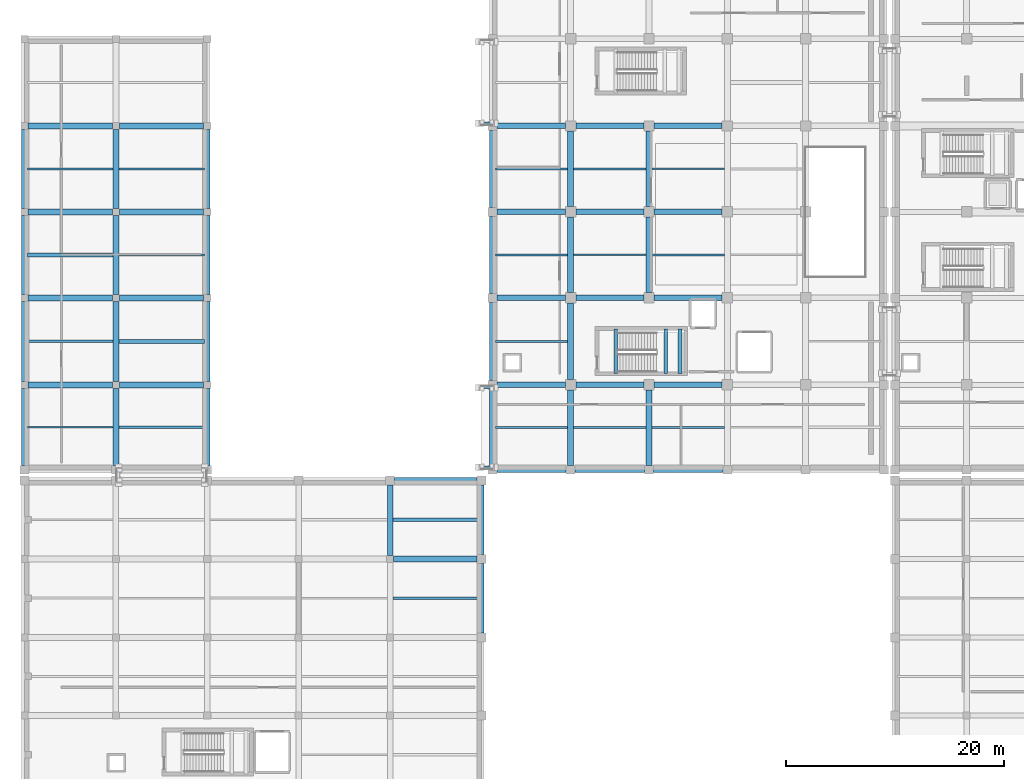
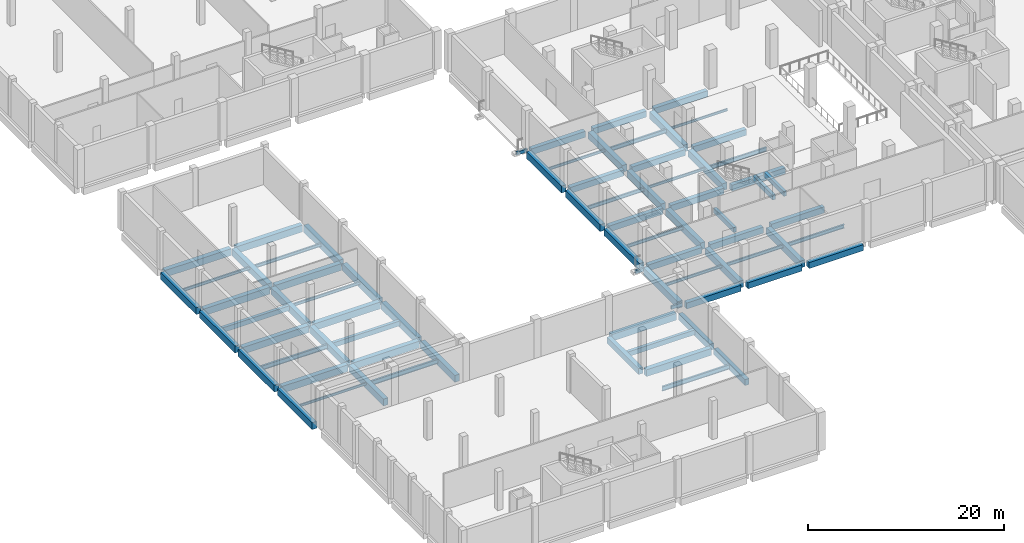
# One storey, part 3 of 31: 77 beams.
"""IFC4 building model written with IfcOpenShell, lengths in metres."""

from ifc_helpers import new_model, si_unit, direction, frame, origin, origin_2d, place, context, subcontext, project, spatial, rectangle, hollow_rectangle, i_section, extrude, material, material_profile, profile_set, type_object, element, save


model = new_model("IFC4")

# Units and contexts
model_context = context("Model", 3, precision=1e-05, world=origin(), true_north=direction((0.0, 1.0)))
body_context = subcontext(model_context, "Body", "Model", "MODEL_VIEW")
ifc_project = project(units=[si_unit("LENGTHUNIT", "METRE"), si_unit("AREAUNIT", "SQUARE_METRE"), si_unit("VOLUMEUNIT", "CUBIC_METRE"), si_unit("PLANEANGLEUNIT", "RADIAN"), si_unit("MASSUNIT", "GRAM", prefix="KILO")], contexts=[model_context])

# Site, building, storey
site_placement = place(None, origin())
site = spatial("IfcSite", under=ifc_project, at=site_placement, CompositionType="ELEMENT")
building_placement = place(site_placement, origin())
building = spatial("IfcBuilding", under=site, at=building_placement, Name="Kelarvand Opera House", CompositionType="ELEMENT")
storey_placement = place(building_placement, frame((0.0, 0.0, -4.800048828125)))
storey = spatial("IfcBuildingStorey", under=building, at=storey_placement, Name="B1", CompositionType="ELEMENT", Elevation=-4.800048828125)

# Beams
ifc_material_1 = material(Name="Concrete C35/45", Category="concrete")
ifc_material_profile_1 = material_profile(ifc_material_1, rectangle(XDim=0.35009765625, YDim=0.60009765625, at=origin_2d()), Name="RC 350x600", Category="concrete")
ifc_profile_set_1 = profile_set([ifc_material_profile_1], Name="Concrete C35/45")
beam_type_1 = type_object("IfcBeamType", Name="Structural Beam RC 350x600 BM-RC350x600", PredefinedType="BEAM", material=ifc_profile_set_1)
beam_1_placement = place(storey_placement, frame((9.27490234375, 58.550048828125, -0.599853515625), z_axis=(1.0, 0.0, 0.0), x_axis=(0.0, 1.0, 0.0)))
element("IfcBeam", 1, at=beam_1_placement, inside=storey, type_object=beam_type_1, Name="V4 B1 Beam BM-RC350x600", PredefinedType="BEAM", context=body_context, shape_type="SweptSolid", body=[
    extrude(rectangle(XDim=0.35009765625, YDim=0.60009765625, at=origin_2d()), origin(), (0.0, 0.0, 1.0), 7.85009765625),
])
beam_2_placement = place(storey_placement, frame((17.675048828125, 50.60009765625, -0.599853515625), z_axis=(1.0, 0.0, 0.0), x_axis=(0.0, 1.0, 0.0)))
element("IfcBeam", 2, at=beam_2_placement, inside=storey, type_object=beam_type_1, Name="V4 B1 Beam BM-RC350x600", PredefinedType="BEAM", context=body_context, shape_type="SweptSolid", body=[
    extrude(rectangle(XDim=0.35009765625, YDim=0.60009765625, at=origin_2d()), origin(), (0.0, 0.0, 1.0), 7.849853515625),
])
beam_3_placement = place(storey_placement, frame((42.85009765625, 34.199951171875, -0.599853515625), z_axis=(1.0, 0.0, 0.0), x_axis=(0.0, 1.0, 0.0)))
element("IfcBeam", 3, at=beam_3_placement, inside=storey, type_object=beam_type_1, Name="V4 B1 Beam BM-RC350x600", PredefinedType="BEAM", context=body_context, shape_type="SweptSolid", body=[
    extrude(rectangle(XDim=0.35009765625, YDim=0.60009765625, at=origin_2d()), origin(), (0.0, 0.0, 1.0), 7.89990234375),
])
for number, where, z_axis, x_axis, name in (
    (4, (63.340087890625, 47.64990234375, -0.52001953125), (0.0, 1.0, 0.0), (-1.0, 0.0, 0.0), "C2 Stair Landing Support Beam B1"),
    (5, (67.949951171875, 47.64990234375, 1.900146484375), (0.0, 1.0, 0.0), (-1.0, 0.0, 0.0), "C2 Stair Half-Landing Beam 1 B1"),
    (6, (69.25, 47.64990234375, 1.900146484375), (0.0, 1.0, 0.0), (-1.0, 0.0, 0.0), "C2 Stair Half-Landing Beam 2 B1"),
):
    element("IfcBeam", number, at=place(storey_placement, frame(where, z_axis=z_axis, x_axis=x_axis)), inside=storey, type_object=beam_type_1, Name=name, PredefinedType="BEAM", context=body_context, shape_type="SweptSolid", body=[
        extrude(rectangle(XDim=0.35009765625, YDim=0.60009765625, at=origin_2d()), origin(), (0.0, 0.0, 1.0), 4.10009765625),
    ])
ifc_material_2 = material(Name="Concrete C40/50", Category="concrete")
ifc_material_profile_2 = material_profile(ifc_material_2, rectangle(XDim=0.5, YDim=0.75, at=origin_2d()), Name="RC 500x750", Category="concrete")
ifc_profile_set_2 = profile_set([ifc_material_profile_2], Name="Concrete C40/50")
beam_type_2 = type_object("IfcBeamType", Name="Structural Beam RC 500x750 BM-RC500x750", PredefinedType="BEAM", material=ifc_profile_set_2)
beam_4_placement = place(storey_placement, frame((52.409912109375, 38.800048828125, -0.675048828125), z_axis=(1.0, 0.0, 0.0), x_axis=(0.0, 1.0, 0.0)))
element("IfcBeam", 7, at=beam_4_placement, inside=storey, type_object=beam_type_2, Name="V2 B1 Beam BM-RC500x750", PredefinedType="BEAM", context=body_context, shape_type="SweptSolid", body=[
    extrude(rectangle(XDim=0.5, YDim=0.75, at=origin_2d()), origin(), (0.0, 0.0, 1.0), 6.380126953125),
])
for number, where, z_axis, x_axis, name in (
    (8, (59.610107421875, 38.800048828125, -0.675048828125), (1.0, 0.0, 0.0), (0.0, 1.0, 0.0), "V2 B1 Beam BM-RC500x750"),
    (9, (66.81005859375, 38.800048828125, -0.675048828125), (1.0, 0.0, 0.0), (0.0, 1.0, 0.0), "V2 B1 Beam BM-RC500x750"),
):
    element("IfcBeam", number, at=place(storey_placement, frame(where, z_axis=z_axis, x_axis=x_axis)), inside=storey, type_object=beam_type_2, Name=name, PredefinedType="BEAM", context=body_context, shape_type="SweptSolid", body=[
        extrude(rectangle(XDim=0.5, YDim=0.75, at=origin_2d()), origin(), (0.0, 0.0, 1.0), 6.3798828125),
    ])
beam_5_placement = place(storey_placement, frame((52.409912109375, 46.60009765625, -0.675048828125), z_axis=(1.0, 0.0, 0.0), x_axis=(0.0, 1.0, 0.0)))
element("IfcBeam", 10, at=beam_5_placement, inside=storey, type_object=beam_type_2, Name="V2 B1 Beam BM-RC500x750", PredefinedType="BEAM", context=body_context, shape_type="SweptSolid", body=[
    extrude(rectangle(XDim=0.5, YDim=0.75, at=origin_2d()), origin(), (0.0, 0.0, 1.0), 6.315185546875),
])
for number, where, z_axis, x_axis, name in (
    (11, (59.675048828125, 46.60009765625, -0.675048828125), (1.0, 0.0, 0.0), (0.0, 1.0, 0.0), "V2 B1 Beam BM-RC500x750"),
    (12, (66.875, 46.60009765625, -0.675048828125), (1.0, 0.0, 0.0), (0.0, 1.0, 0.0), "V2 B1 Beam BM-RC500x750"),
):
    element("IfcBeam", number, at=place(storey_placement, frame(where, z_axis=z_axis, x_axis=x_axis)), inside=storey, type_object=beam_type_2, Name=name, PredefinedType="BEAM", context=body_context, shape_type="SweptSolid", body=[
        extrude(rectangle(XDim=0.5, YDim=0.75, at=origin_2d()), origin(), (0.0, 0.0, 1.0), 6.25),
    ])
beam_6_placement = place(storey_placement, frame((52.409912109375, 54.60009765625, -0.675048828125), z_axis=(1.0, 0.0, 0.0), x_axis=(0.0, 1.0, 0.0)))
element("IfcBeam", 13, at=beam_6_placement, inside=storey, type_object=beam_type_2, Name="V2 B1 Beam BM-RC500x750", PredefinedType="BEAM", context=body_context, shape_type="SweptSolid", body=[
    extrude(rectangle(XDim=0.5, YDim=0.75, at=origin_2d()), origin(), (0.0, 0.0, 1.0), 6.315185546875),
])
for number, where, z_axis, x_axis, name in (
    (14, (59.675048828125, 54.60009765625, -0.675048828125), (1.0, 0.0, 0.0), (0.0, 1.0, 0.0), "V2 B1 Beam BM-RC500x750"),
    (15, (66.875, 54.60009765625, -0.675048828125), (1.0, 0.0, 0.0), (0.0, 1.0, 0.0), "V2 B1 Beam BM-RC500x750"),
):
    element("IfcBeam", number, at=place(storey_placement, frame(where, z_axis=z_axis, x_axis=x_axis)), inside=storey, type_object=beam_type_2, Name=name, PredefinedType="BEAM", context=body_context, shape_type="SweptSolid", body=[
        extrude(rectangle(XDim=0.5, YDim=0.75, at=origin_2d()), origin(), (0.0, 0.0, 1.0), 6.25),
    ])
beam_7_placement = place(storey_placement, frame((52.409912109375, 62.5, -0.675048828125), z_axis=(1.0, 0.0, 0.0), x_axis=(0.0, 1.0, 0.0)))
element("IfcBeam", 16, at=beam_7_placement, inside=storey, type_object=beam_type_2, Name="V2 B1 Beam BM-RC500x750", PredefinedType="BEAM", context=body_context, shape_type="SweptSolid", body=[
    extrude(rectangle(XDim=0.5, YDim=0.75, at=origin_2d()), origin(), (0.0, 0.0, 1.0), 6.315185546875),
])
for number, where, z_axis, x_axis, name in (
    (17, (59.675048828125, 62.5, -0.675048828125), (1.0, 0.0, 0.0), (0.0, 1.0, 0.0), "V2 B1 Beam BM-RC500x750"),
    (18, (66.875, 62.5, -0.675048828125), (1.0, 0.0, 0.0), (0.0, 1.0, 0.0), "V2 B1 Beam BM-RC500x750"),
):
    element("IfcBeam", number, at=place(storey_placement, frame(where, z_axis=z_axis, x_axis=x_axis)), inside=storey, type_object=beam_type_2, Name=name, PredefinedType="BEAM", context=body_context, shape_type="SweptSolid", body=[
        extrude(rectangle(XDim=0.5, YDim=0.75, at=origin_2d()), origin(), (0.0, 0.0, 1.0), 6.25),
    ])
beam_8_placement = place(storey_placement, frame((52.409912109375, 70.39990234375, -0.675048828125), z_axis=(1.0, 0.0, 0.0), x_axis=(0.0, 1.0, 0.0)))
element("IfcBeam", 19, at=beam_8_placement, inside=storey, type_object=beam_type_2, Name="V2 B1 Beam BM-RC500x750", PredefinedType="BEAM", context=body_context, shape_type="SweptSolid", body=[
    extrude(rectangle(XDim=0.5, YDim=0.75, at=origin_2d()), origin(), (0.0, 0.0, 1.0), 6.315185546875),
])
for number, where, z_axis, x_axis, name in (
    (20, (59.675048828125, 70.39990234375, -0.675048828125), (1.0, 0.0, 0.0), (0.0, 1.0, 0.0), "V2 B1 Beam BM-RC500x750"),
    (21, (66.875, 70.39990234375, -0.675048828125), (1.0, 0.0, 0.0), (0.0, 1.0, 0.0), "V2 B1 Beam BM-RC500x750"),
):
    element("IfcBeam", number, at=place(storey_placement, frame(where, z_axis=z_axis, x_axis=x_axis)), inside=storey, type_object=beam_type_2, Name=name, PredefinedType="BEAM", context=body_context, shape_type="SweptSolid", body=[
        extrude(rectangle(XDim=0.5, YDim=0.75, at=origin_2d()), origin(), (0.0, 0.0, 1.0), 6.25),
    ])
beam_9_placement = place(storey_placement, frame((42.60009765625, 30.925048828125, -0.675048828125), z_axis=(0.0, 1.0, 0.0), x_axis=(-1.0, 0.0, 0.0)))
element("IfcBeam", 22, at=beam_9_placement, inside=storey, type_object=beam_type_2, Name="V4 B1 Beam BM-RC500x750", PredefinedType="BEAM", context=body_context, shape_type="SweptSolid", body=[
    extrude(rectangle(XDim=0.5, YDim=0.75, at=origin_2d()), origin(), (0.0, 0.0, 1.0), 6.46484375),
])
for number, where, z_axis, x_axis, name in (
    (23, (51.0, 23.81005859375, -0.675048828125), (0.0, 1.0, 0.0), (-1.0, 0.0, 0.0), "V4 B1 Beam BM-RC500x750"),
    (24, (51.0, 31.010009765625, -0.675048828125), (0.0, 1.0, 0.0), (-1.0, 0.0, 0.0), "V4 B1 Beam BM-RC500x750"),
):
    element("IfcBeam", number, at=place(storey_placement, frame(where, z_axis=z_axis, x_axis=x_axis)), inside=storey, type_object=beam_type_2, Name=name, PredefinedType="BEAM", context=body_context, shape_type="SweptSolid", body=[
        extrude(rectangle(XDim=0.5, YDim=0.75, at=origin_2d()), origin(), (0.0, 0.0, 1.0), 6.3798828125),
    ])
ifc_material_profile_3 = material_profile(ifc_material_2, rectangle(XDim=0.550048828125, YDim=0.85009765625, at=origin_2d()), Name="RC 550x850", Category="concrete")
ifc_profile_set_3 = profile_set([ifc_material_profile_3], Name="Concrete C40/50")
beam_type_3 = type_object("IfcBeamType", Name="Structural Beam RC 550x850 BM-RC550x850", PredefinedType="BEAM", material=ifc_profile_set_3)
beam_10_placement = place(storey_placement, frame((52.0, 39.2099609375, -0.724853515625), z_axis=(0.0, 1.0, 0.0), x_axis=(-1.0, 0.0, 0.0)))
element("IfcBeam", 25, at=beam_10_placement, inside=storey, type_object=beam_type_3, Name="V2 B1 Beam BM-RC550x850", PredefinedType="BEAM", context=body_context, shape_type="SweptSolid", body=[
    extrude(rectangle(XDim=0.550048828125, YDim=0.85009765625, at=origin_2d()), origin(), (0.0, 0.0, 1.0), 6.97998046875),
])
beam_11_placement = place(storey_placement, frame((52.0, 47.010009765625, -0.724853515625), z_axis=(0.0, 1.0, 0.0), x_axis=(-1.0, 0.0, 0.0)))
element("IfcBeam", 26, at=beam_11_placement, inside=storey, type_object=beam_type_3, Name="V2 B1 Beam BM-RC550x850", PredefinedType="BEAM", context=body_context, shape_type="SweptSolid", body=[
    extrude(rectangle(XDim=0.550048828125, YDim=0.85009765625, at=origin_2d()), origin(), (0.0, 0.0, 1.0), 7.179931640625),
])
for number, where, z_axis, x_axis, name in (
    (27, (52.0, 55.010009765625, -0.724853515625), (0.0, 1.0, 0.0), (-1.0, 0.0, 0.0), "V2 B1 Beam BM-RC550x850"),
    (28, (52.0, 62.909912109375, -0.724853515625), (0.0, 1.0, 0.0), (-1.0, 0.0, 0.0), "V2 B1 Beam BM-RC550x850"),
):
    element("IfcBeam", number, at=place(storey_placement, frame(where, z_axis=z_axis, x_axis=x_axis)), inside=storey, type_object=beam_type_3, Name=name, PredefinedType="BEAM", context=body_context, shape_type="SweptSolid", body=[
        extrude(rectangle(XDim=0.550048828125, YDim=0.85009765625, at=origin_2d()), origin(), (0.0, 0.0, 1.0), 7.080078125),
    ])
beam_12_placement = place(storey_placement, frame((59.199951171875, 39.2099609375, -0.724853515625), z_axis=(0.0, 1.0, 0.0), x_axis=(-1.0, 0.0, 0.0)))
element("IfcBeam", 29, at=beam_12_placement, inside=storey, type_object=beam_type_3, Name="V2 B1 Beam BM-RC550x850", PredefinedType="BEAM", context=body_context, shape_type="SweptSolid", body=[
    extrude(rectangle(XDim=0.550048828125, YDim=0.85009765625, at=origin_2d()), origin(), (0.0, 0.0, 1.0), 6.9150390625),
])
beam_13_placement = place(storey_placement, frame((59.199951171875, 47.074951171875, -0.724853515625), z_axis=(0.0, 1.0, 0.0), x_axis=(-1.0, 0.0, 0.0)))
element("IfcBeam", 30, at=beam_13_placement, inside=storey, type_object=beam_type_3, Name="V2 B1 Beam BM-RC550x850", PredefinedType="BEAM", context=body_context, shape_type="SweptSolid", body=[
    extrude(rectangle(XDim=0.550048828125, YDim=0.85009765625, at=origin_2d()), origin(), (0.0, 0.0, 1.0), 7.050048828125),
])
for number, where, z_axis, x_axis, name in (
    (31, (59.199951171875, 55.074951171875, -0.724853515625), (0.0, 1.0, 0.0), (-1.0, 0.0, 0.0), "V2 B1 Beam BM-RC550x850"),
    (32, (59.199951171875, 62.97509765625, -0.724853515625), (0.0, 1.0, 0.0), (-1.0, 0.0, 0.0), "V2 B1 Beam BM-RC550x850"),
):
    element("IfcBeam", number, at=place(storey_placement, frame(where, z_axis=z_axis, x_axis=x_axis)), inside=storey, type_object=beam_type_3, Name=name, PredefinedType="BEAM", context=body_context, shape_type="SweptSolid", body=[
        extrude(rectangle(XDim=0.550048828125, YDim=0.85009765625, at=origin_2d()), origin(), (0.0, 0.0, 1.0), 6.949951171875),
    ])
beam_14_placement = place(storey_placement, frame((66.39990234375, 39.2099609375, -0.724853515625), z_axis=(0.0, 1.0, 0.0), x_axis=(-1.0, 0.0, 0.0)))
element("IfcBeam", 33, at=beam_14_placement, inside=storey, type_object=beam_type_3, Name="V2 B1 Beam BM-RC550x850", PredefinedType="BEAM", context=body_context, shape_type="SweptSolid", body=[
    extrude(rectangle(XDim=0.550048828125, YDim=0.85009765625, at=origin_2d()), origin(), (0.0, 0.0, 1.0), 6.9150390625),
])
for number, where, z_axis, x_axis, name in (
    (34, (66.39990234375, 55.074951171875, -0.724853515625), (0.0, 1.0, 0.0), (-1.0, 0.0, 0.0), "V2 B1 Beam BM-RC550x850"),
    (35, (66.39990234375, 62.97509765625, -0.724853515625), (0.0, 1.0, 0.0), (-1.0, 0.0, 0.0), "V2 B1 Beam BM-RC550x850"),
):
    element("IfcBeam", number, at=place(storey_placement, frame(where, z_axis=z_axis, x_axis=x_axis)), inside=storey, type_object=beam_type_3, Name=name, PredefinedType="BEAM", context=body_context, shape_type="SweptSolid", body=[
        extrude(rectangle(XDim=0.550048828125, YDim=0.85009765625, at=origin_2d()), origin(), (0.0, 0.0, 1.0), 6.949951171875),
    ])
beam_15_placement = place(storey_placement, frame((42.925048828125, 30.60009765625, -0.724853515625), z_axis=(1.0, 0.0, 0.0), x_axis=(0.0, 1.0, 0.0)))
element("IfcBeam", 36, at=beam_15_placement, inside=storey, type_object=beam_type_3, Name="V4 B1 Beam BM-RC550x850", PredefinedType="BEAM", context=body_context, shape_type="SweptSolid", body=[
    extrude(rectangle(XDim=0.550048828125, YDim=0.85009765625, at=origin_2d()), origin(), (0.0, 0.0, 1.0), 7.6650390625),
])
beam_16_placement = place(storey_placement, frame((43.010009765625, 37.800048828125, -0.724853515625), z_axis=(1.0, 0.0, 0.0), x_axis=(0.0, 1.0, 0.0)))
element("IfcBeam", 37, at=beam_16_placement, inside=storey, type_object=beam_type_3, Name="V4 B1 Beam BM-RC550x850", PredefinedType="BEAM", context=body_context, shape_type="SweptSolid", body=[
    extrude(rectangle(XDim=0.550048828125, YDim=0.85009765625, at=origin_2d()), origin(), (0.0, 0.0, 1.0), 7.580078125),
])
for number, where, z_axis, x_axis, name in (
    (38, (9.324951171875, 46.60009765625, -0.724853515625), (1.0, 0.0, 0.0), (0.0, 1.0, 0.0), "V4 B1 Beam BM-RC550x850"),
    (39, (17.72509765625, 46.60009765625, -0.724853515625), (1.0, 0.0, 0.0), (0.0, 1.0, 0.0), "V4 B1 Beam BM-RC550x850"),
    (40, (9.324951171875, 54.60009765625, -0.724853515625), (1.0, 0.0, 0.0), (0.0, 1.0, 0.0), "V4 B1 Beam BM-RC550x850"),
    (41, (17.72509765625, 54.60009765625, -0.724853515625), (1.0, 0.0, 0.0), (0.0, 1.0, 0.0), "V4 B1 Beam BM-RC550x850"),
    (42, (9.324951171875, 62.5, -0.724853515625), (1.0, 0.0, 0.0), (0.0, 1.0, 0.0), "V4 B1 Beam BM-RC550x850"),
    (43, (17.72509765625, 62.5, -0.724853515625), (1.0, 0.0, 0.0), (0.0, 1.0, 0.0), "V4 B1 Beam BM-RC550x850"),
    (44, (9.324951171875, 70.39990234375, -0.724853515625), (1.0, 0.0, 0.0), (0.0, 1.0, 0.0), "V4 B1 Beam BM-RC550x850"),
    (45, (17.72509765625, 70.39990234375, -0.724853515625), (1.0, 0.0, 0.0), (0.0, 1.0, 0.0), "V4 B1 Beam BM-RC550x850"),
):
    element("IfcBeam", number, at=place(storey_placement, frame(where, z_axis=z_axis, x_axis=x_axis)), inside=storey, type_object=beam_type_3, Name=name, PredefinedType="BEAM", context=body_context, shape_type="SweptSolid", body=[
        extrude(rectangle(XDim=0.550048828125, YDim=0.85009765625, at=origin_2d()), origin(), (0.0, 0.0, 1.0), 7.75),
    ])
beam_17_placement = place(storey_placement, frame((9.0, 39.2099609375, -0.724853515625), z_axis=(0.0, 1.0, 0.0), x_axis=(-1.0, 0.0, 0.0)))
element("IfcBeam", 46, at=beam_17_placement, inside=storey, type_object=beam_type_3, Name="V4 B1 Beam BM-RC550x850", PredefinedType="BEAM", context=body_context, shape_type="SweptSolid", body=[
    extrude(rectangle(XDim=0.550048828125, YDim=0.85009765625, at=origin_2d()), origin(), (0.0, 0.0, 1.0), 7.06494140625),
])
beam_18_placement = place(storey_placement, frame((9.0, 46.925048828125, -0.724853515625), z_axis=(0.0, 1.0, 0.0), x_axis=(-1.0, 0.0, 0.0)))
element("IfcBeam", 47, at=beam_18_placement, inside=storey, type_object=beam_type_3, Name="V4 B1 Beam BM-RC550x850", PredefinedType="BEAM", context=body_context, shape_type="SweptSolid", body=[
    extrude(rectangle(XDim=0.550048828125, YDim=0.85009765625, at=origin_2d()), origin(), (0.0, 0.0, 1.0), 7.349853515625),
])
for number, where, z_axis, x_axis, name in (
    (48, (9.0, 54.925048828125, -0.724853515625), (0.0, 1.0, 0.0), (-1.0, 0.0, 0.0), "V4 B1 Beam BM-RC550x850"),
    (49, (9.0, 62.824951171875, -0.724853515625), (0.0, 1.0, 0.0), (-1.0, 0.0, 0.0), "V4 B1 Beam BM-RC550x850"),
):
    element("IfcBeam", number, at=place(storey_placement, frame(where, z_axis=z_axis, x_axis=x_axis)), inside=storey, type_object=beam_type_3, Name=name, PredefinedType="BEAM", context=body_context, shape_type="SweptSolid", body=[
        extrude(rectangle(XDim=0.550048828125, YDim=0.85009765625, at=origin_2d()), origin(), (0.0, 0.0, 1.0), 7.25),
    ])
beam_19_placement = place(storey_placement, frame((17.39990234375, 39.2099609375, -0.724853515625), z_axis=(0.0, 1.0, 0.0), x_axis=(-1.0, 0.0, 0.0)))
element("IfcBeam", 50, at=beam_19_placement, inside=storey, type_object=beam_type_3, Name="V4 B1 Beam BM-RC550x850", PredefinedType="BEAM", context=body_context, shape_type="SweptSolid", body=[
    extrude(rectangle(XDim=0.550048828125, YDim=0.85009765625, at=origin_2d()), origin(), (0.0, 0.0, 1.0), 7.06494140625),
])
beam_20_placement = place(storey_placement, frame((17.39990234375, 46.925048828125, -0.724853515625), z_axis=(0.0, 1.0, 0.0), x_axis=(-1.0, 0.0, 0.0)))
element("IfcBeam", 51, at=beam_20_placement, inside=storey, type_object=beam_type_3, Name="V4 B1 Beam BM-RC550x850", PredefinedType="BEAM", context=body_context, shape_type="SweptSolid", body=[
    extrude(rectangle(XDim=0.550048828125, YDim=0.85009765625, at=origin_2d()), origin(), (0.0, 0.0, 1.0), 7.349853515625),
])
for number, where, z_axis, x_axis, name in (
    (52, (17.39990234375, 54.925048828125, -0.724853515625), (0.0, 1.0, 0.0), (-1.0, 0.0, 0.0), "V4 B1 Beam BM-RC550x850"),
    (53, (17.39990234375, 62.824951171875, -0.724853515625), (0.0, 1.0, 0.0), (-1.0, 0.0, 0.0), "V4 B1 Beam BM-RC550x850"),
):
    element("IfcBeam", number, at=place(storey_placement, frame(where, z_axis=z_axis, x_axis=x_axis)), inside=storey, type_object=beam_type_3, Name=name, PredefinedType="BEAM", context=body_context, shape_type="SweptSolid", body=[
        extrude(rectangle(XDim=0.550048828125, YDim=0.85009765625, at=origin_2d()), origin(), (0.0, 0.0, 1.0), 7.25),
    ])
beam_21_placement = place(storey_placement, frame((25.800048828125, 39.2099609375, -0.724853515625), z_axis=(0.0, 1.0, 0.0), x_axis=(-1.0, 0.0, 0.0)))
element("IfcBeam", 54, at=beam_21_placement, inside=storey, type_object=beam_type_3, Name="V4 B1 Beam BM-RC550x850", PredefinedType="BEAM", context=body_context, shape_type="SweptSolid", body=[
    extrude(rectangle(XDim=0.550048828125, YDim=0.85009765625, at=origin_2d()), origin(), (0.0, 0.0, 1.0), 7.06494140625),
])
beam_22_placement = place(storey_placement, frame((25.800048828125, 46.925048828125, -0.724853515625), z_axis=(0.0, 1.0, 0.0), x_axis=(-1.0, 0.0, 0.0)))
element("IfcBeam", 55, at=beam_22_placement, inside=storey, type_object=beam_type_3, Name="V4 B1 Beam BM-RC550x850", PredefinedType="BEAM", context=body_context, shape_type="SweptSolid", body=[
    extrude(rectangle(XDim=0.550048828125, YDim=0.85009765625, at=origin_2d()), origin(), (0.0, 0.0, 1.0), 7.349853515625),
])
for number, where, z_axis, x_axis, name in (
    (56, (25.800048828125, 54.925048828125, -0.724853515625), (0.0, 1.0, 0.0), (-1.0, 0.0, 0.0), "V4 B1 Beam BM-RC550x850"),
    (57, (25.800048828125, 62.824951171875, -0.724853515625), (0.0, 1.0, 0.0), (-1.0, 0.0, 0.0), "V4 B1 Beam BM-RC550x850"),
):
    element("IfcBeam", number, at=place(storey_placement, frame(where, z_axis=z_axis, x_axis=x_axis)), inside=storey, type_object=beam_type_3, Name=name, PredefinedType="BEAM", context=body_context, shape_type="SweptSolid", body=[
        extrude(rectangle(XDim=0.550048828125, YDim=0.85009765625, at=origin_2d()), origin(), (0.0, 0.0, 1.0), 7.25),
    ])
ifc_material_3 = material(Name="Steel S355", Category="steel")
ifc_material_profile_4 = material_profile(ifc_material_3, hollow_rectangle(XDim=0.199951171875, YDim=0.39990234375, WallThickness=0.01611328125, at=origin_2d()), Name="RHS 400x200x16.0", Category="steel")
ifc_profile_set_4 = profile_set([ifc_material_profile_4], Name="Steel S355")
beam_type_4 = type_object("IfcBeamType", Name="Structural Beam RHS 400x200x16.0 BM-RHS400", PredefinedType="BEAM", material=ifc_profile_set_4)
for number, where, z_axis, x_axis, name in (
    (58, (50.85009765625, 70.64990234375, -0.599853515625), (1.0, 0.0, 0.0), (0.0, 1.0, 0.0), "Seismic Sliding Corbel Beam BR-JW-N B1 1"),
    (59, (50.85009765625, 39.050048828125, -0.599853515625), (1.0, 0.0, 0.0), (0.0, 1.0, 0.0), "Seismic Sliding Corbel Beam BR-JW-S B1 1"),
    (60, (50.85009765625, 46.35009765625, -0.599853515625), (1.0, 0.0, 0.0), (0.0, 1.0, 0.0), "Seismic Sliding Corbel Beam BR-JW-S B1 2"),
):
    element("IfcBeam", number, at=place(storey_placement, frame(where, z_axis=z_axis, x_axis=x_axis)), inside=storey, type_object=beam_type_4, Name=name, PredefinedType="BEAM", context=body_context, shape_type="SweptSolid", body=[
        extrude(hollow_rectangle(XDim=0.199951171875, YDim=0.39990234375, WallThickness=0.01611328125, at=origin_2d()), origin(), (0.0, 0.0, 1.0), 1.2998046875),
    ])
ifc_material_profile_5 = material_profile(ifc_material_3, i_section(OverallWidth=0.14990234375, OverallDepth=0.300048828125, WebThickness=0.007080078125, FlangeThickness=0.0107421875, at=origin_2d()), Name="IPE 300", Category="steel")
ifc_profile_set_5 = profile_set([ifc_material_profile_5], Name="Steel S355")
beam_type_5 = type_object("IfcBeamType", Name="Structural Joist IPE 300 JS-IPE300", PredefinedType="JOIST", material=ifc_profile_set_5)
beam_23_placement = place(storey_placement, frame((66.675048828125, 66.449951171875, -0.449951171875), z_axis=(1.0, 0.0, 0.0), x_axis=(0.0, 1.0, 0.0)))
element("IfcBeam", 61, at=beam_23_placement, inside=storey, type_object=beam_type_5, Name="V2 B1 Beam JS-IPE300", PredefinedType="JOIST", context=body_context, shape_type="SweptSolid", body=[
    extrude(i_section(OverallWidth=0.14990234375, OverallDepth=0.300048828125, WebThickness=0.007080078125, FlangeThickness=0.0107421875, at=origin_2d()), origin(), (0.0, 0.0, 1.0), 6.64990234375),
])
beam_24_placement = place(storey_placement, frame((9.27490234375, 42.699951171875, -0.449951171875), z_axis=(1.0, 0.0, 0.0), x_axis=(0.0, 1.0, 0.0)))
element("IfcBeam", 62, at=beam_24_placement, inside=storey, type_object=beam_type_5, Name="V4 B1 Beam JS-IPE300", PredefinedType="JOIST", context=body_context, shape_type="SweptSolid", body=[
    extrude(i_section(OverallWidth=0.14990234375, OverallDepth=0.300048828125, WebThickness=0.007080078125, FlangeThickness=0.0107421875, at=origin_2d()), origin(), (0.0, 0.0, 1.0), 7.85009765625),
])
ifc_material_profile_6 = material_profile(ifc_material_3, i_section(OverallWidth=0.159912109375, OverallDepth=0.330078125, WebThickness=0.007568359375, FlangeThickness=0.011474609375, at=origin_2d()), Name="IPE 330", Category="steel")
ifc_profile_set_6 = profile_set([ifc_material_profile_6], Name="Steel S355")
beam_type_6 = type_object("IfcBeamType", Name="Structural Joist IPE 330 JS-IPE330", PredefinedType="JOIST", material=ifc_profile_set_6)
beam_25_placement = place(storey_placement, frame((52.27490234375, 66.449951171875, -0.46484375), z_axis=(1.0, 0.0, 0.0), x_axis=(0.0, 1.0, 0.0)))
element("IfcBeam", 63, at=beam_25_placement, inside=storey, type_object=beam_type_6, Name="V2 B1 Beam JS-IPE330", PredefinedType="JOIST", context=body_context, shape_type="SweptSolid", body=[
    extrude(i_section(OverallWidth=0.159912109375, OverallDepth=0.330078125, WebThickness=0.007568359375, FlangeThickness=0.011474609375, at=origin_2d()), origin(), (0.0, 0.0, 1.0), 6.650146484375),
])
beam_26_placement = place(storey_placement, frame((59.47509765625, 58.550048828125, -0.46484375), z_axis=(1.0, 0.0, 0.0), x_axis=(0.0, 1.0, 0.0)))
element("IfcBeam", 64, at=beam_26_placement, inside=storey, type_object=beam_type_6, Name="V2 B1 Beam JS-IPE330", PredefinedType="JOIST", context=body_context, shape_type="SweptSolid", body=[
    extrude(i_section(OverallWidth=0.159912109375, OverallDepth=0.330078125, WebThickness=0.007568359375, FlangeThickness=0.011474609375, at=origin_2d()), origin(), (0.0, 0.0, 1.0), 6.64990234375),
])
ifc_material_profile_7 = material_profile(ifc_material_3, i_section(OverallWidth=0.169921875, OverallDepth=0.360107421875, WebThickness=0.008056640625, FlangeThickness=0.0126953125, at=origin_2d()), Name="IPE 360", Category="steel")
ifc_profile_set_7 = profile_set([ifc_material_profile_7], Name="Steel S355")
beam_type_7 = type_object("IfcBeamType", Name="Structural Joist IPE 360 JS-IPE360", PredefinedType="JOIST", material=ifc_profile_set_7)
beam_27_placement = place(storey_placement, frame((52.27490234375, 42.699951171875, -0.47998046875), z_axis=(1.0, 0.0, 0.0), x_axis=(0.0, 1.0, 0.0)))
element("IfcBeam", 65, at=beam_27_placement, inside=storey, type_object=beam_type_7, Name="V2 B1 Beam JS-IPE360", PredefinedType="JOIST", context=body_context, shape_type="SweptSolid", body=[
    extrude(i_section(OverallWidth=0.169921875, OverallDepth=0.360107421875, WebThickness=0.008056640625, FlangeThickness=0.0126953125, at=origin_2d()), origin(), (0.0, 0.0, 1.0), 6.650146484375),
])
beam_28_placement = place(storey_placement, frame((9.27490234375, 66.449951171875, -0.47998046875), z_axis=(1.0, 0.0, 0.0), x_axis=(0.0, 1.0, 0.0)))
element("IfcBeam", 66, at=beam_28_placement, inside=storey, type_object=beam_type_7, Name="V4 B1 Beam JS-IPE360", PredefinedType="JOIST", context=body_context, shape_type="SweptSolid", body=[
    extrude(i_section(OverallWidth=0.169921875, OverallDepth=0.360107421875, WebThickness=0.008056640625, FlangeThickness=0.0126953125, at=origin_2d()), origin(), (0.0, 0.0, 1.0), 7.85009765625),
])
beam_29_placement = place(storey_placement, frame((17.675048828125, 58.550048828125, -0.47998046875), z_axis=(1.0, 0.0, 0.0), x_axis=(0.0, 1.0, 0.0)))
element("IfcBeam", 67, at=beam_29_placement, inside=storey, type_object=beam_type_7, Name="V4 B1 Beam JS-IPE360", PredefinedType="JOIST", context=body_context, shape_type="SweptSolid", body=[
    extrude(i_section(OverallWidth=0.169921875, OverallDepth=0.360107421875, WebThickness=0.008056640625, FlangeThickness=0.0126953125, at=origin_2d()), origin(), (0.0, 0.0, 1.0), 7.849853515625),
])
ifc_material_profile_8 = material_profile(ifc_material_3, i_section(OverallWidth=0.179931640625, OverallDepth=0.39990234375, WebThickness=0.008544921875, FlangeThickness=0.013427734375, at=origin_2d()), Name="IPE 400", Category="steel")
ifc_profile_set_8 = profile_set([ifc_material_profile_8], Name="Steel S355")
beam_type_8 = type_object("IfcBeamType", Name="Structural Joist IPE 400 JS-IPE400", PredefinedType="JOIST", material=ifc_profile_set_8)
beam_30_placement = place(storey_placement, frame((52.27490234375, 50.60009765625, -0.5), z_axis=(1.0, 0.0, 0.0), x_axis=(0.0, 1.0, 0.0)))
element("IfcBeam", 68, at=beam_30_placement, inside=storey, type_object=beam_type_8, Name="V2 B1 Beam JS-IPE400", PredefinedType="JOIST", context=body_context, shape_type="SweptSolid", body=[
    extrude(i_section(OverallWidth=0.179931640625, OverallDepth=0.39990234375, WebThickness=0.008544921875, FlangeThickness=0.013427734375, at=origin_2d()), origin(), (0.0, 0.0, 1.0), 6.650146484375),
])
beam_31_placement = place(storey_placement, frame((59.47509765625, 42.699951171875, -0.5), z_axis=(1.0, 0.0, 0.0), x_axis=(0.0, 1.0, 0.0)))
element("IfcBeam", 69, at=beam_31_placement, inside=storey, type_object=beam_type_8, Name="V2 B1 Beam JS-IPE400", PredefinedType="JOIST", context=body_context, shape_type="SweptSolid", body=[
    extrude(i_section(OverallWidth=0.179931640625, OverallDepth=0.39990234375, WebThickness=0.008544921875, FlangeThickness=0.013427734375, at=origin_2d()), origin(), (0.0, 0.0, 1.0), 6.64990234375),
])
beam_32_placement = place(storey_placement, frame((17.675048828125, 66.449951171875, -0.5), z_axis=(1.0, 0.0, 0.0), x_axis=(0.0, 1.0, 0.0)))
element("IfcBeam", 70, at=beam_32_placement, inside=storey, type_object=beam_type_8, Name="V4 B1 Beam JS-IPE400", PredefinedType="JOIST", context=body_context, shape_type="SweptSolid", body=[
    extrude(i_section(OverallWidth=0.179931640625, OverallDepth=0.39990234375, WebThickness=0.008544921875, FlangeThickness=0.013427734375, at=origin_2d()), origin(), (0.0, 0.0, 1.0), 7.849853515625),
])
ifc_material_profile_9 = material_profile(ifc_material_3, i_section(OverallWidth=0.18994140625, OverallDepth=0.449951171875, WebThickness=0.009521484375, FlangeThickness=0.0146484375, at=origin_2d()), Name="IPE 450", Category="steel")
ifc_profile_set_9 = profile_set([ifc_material_profile_9], Name="Steel S355")
beam_type_9 = type_object("IfcBeamType", Name="Structural Joist IPE 450 JS-IPE450", PredefinedType="JOIST", material=ifc_profile_set_9)
beam_33_placement = place(storey_placement, frame((52.27490234375, 58.550048828125, -0.52490234375), z_axis=(1.0, 0.0, 0.0), x_axis=(0.0, 1.0, 0.0)))
element("IfcBeam", 71, at=beam_33_placement, inside=storey, type_object=beam_type_9, Name="V2 B1 Beam JS-IPE450", PredefinedType="JOIST", context=body_context, shape_type="SweptSolid", body=[
    extrude(i_section(OverallWidth=0.18994140625, OverallDepth=0.449951171875, WebThickness=0.009521484375, FlangeThickness=0.0146484375, at=origin_2d()), origin(), (0.0, 0.0, 1.0), 6.650146484375),
])
beam_34_placement = place(storey_placement, frame((66.675048828125, 42.699951171875, -0.52490234375), z_axis=(1.0, 0.0, 0.0), x_axis=(0.0, 1.0, 0.0)))
element("IfcBeam", 72, at=beam_34_placement, inside=storey, type_object=beam_type_9, Name="V2 B1 Beam JS-IPE450", PredefinedType="JOIST", context=body_context, shape_type="SweptSolid", body=[
    extrude(i_section(OverallWidth=0.18994140625, OverallDepth=0.449951171875, WebThickness=0.009521484375, FlangeThickness=0.0146484375, at=origin_2d()), origin(), (0.0, 0.0, 1.0), 6.64990234375),
])
ifc_material_profile_10 = material_profile(ifc_material_3, i_section(OverallWidth=0.199951171875, OverallDepth=0.5, WebThickness=0.01025390625, FlangeThickness=0.01611328125, at=origin_2d()), Name="IPE 500", Category="steel")
ifc_profile_set_10 = profile_set([ifc_material_profile_10], Name="Steel S355")
beam_type_10 = type_object("IfcBeamType", Name="Structural Joist IPE 500 JS-IPE500", PredefinedType="JOIST", material=ifc_profile_set_10)
for number, where, z_axis, x_axis, name in (
    (73, (59.47509765625, 66.449951171875, -0.550048828125), (1.0, 0.0, 0.0), (0.0, 1.0, 0.0), "V2 B1 Beam JS-IPE500"),
    (74, (66.675048828125, 58.550048828125, -0.550048828125), (1.0, 0.0, 0.0), (0.0, 1.0, 0.0), "V2 B1 Beam JS-IPE500"),
):
    element("IfcBeam", number, at=place(storey_placement, frame(where, z_axis=z_axis, x_axis=x_axis)), inside=storey, type_object=beam_type_10, Name=name, PredefinedType="JOIST", context=body_context, shape_type="SweptSolid", body=[
        extrude(i_section(OverallWidth=0.199951171875, OverallDepth=0.5, WebThickness=0.01025390625, FlangeThickness=0.01611328125, at=origin_2d()), origin(), (0.0, 0.0, 1.0), 6.64990234375),
    ])
ifc_material_profile_11 = material_profile(ifc_material_3, i_section(OverallWidth=0.2099609375, OverallDepth=0.550048828125, WebThickness=0.010986328125, FlangeThickness=0.01708984375, at=origin_2d()), Name="IPE 550", Category="steel")
ifc_profile_set_11 = profile_set([ifc_material_profile_11], Name="Steel S355")
beam_type_11 = type_object("IfcBeamType", Name="Structural Joist IPE 550 JS-IPE550", PredefinedType="JOIST", material=ifc_profile_set_11)
beam_35_placement = place(storey_placement, frame((9.27490234375, 50.60009765625, -0.574951171875), z_axis=(1.0, 0.0, 0.0), x_axis=(0.0, 1.0, 0.0)))
element("IfcBeam", 75, at=beam_35_placement, inside=storey, type_object=beam_type_11, Name="V4 B1 Beam JS-IPE550", PredefinedType="JOIST", context=body_context, shape_type="SweptSolid", body=[
    extrude(i_section(OverallWidth=0.2099609375, OverallDepth=0.550048828125, WebThickness=0.010986328125, FlangeThickness=0.01708984375, at=origin_2d()), origin(), (0.0, 0.0, 1.0), 7.85009765625),
])
beam_36_placement = place(storey_placement, frame((17.675048828125, 42.699951171875, -0.574951171875), z_axis=(1.0, 0.0, 0.0), x_axis=(0.0, 1.0, 0.0)))
element("IfcBeam", 76, at=beam_36_placement, inside=storey, type_object=beam_type_11, Name="V4 B1 Beam JS-IPE550", PredefinedType="JOIST", context=body_context, shape_type="SweptSolid", body=[
    extrude(i_section(OverallWidth=0.2099609375, OverallDepth=0.550048828125, WebThickness=0.010986328125, FlangeThickness=0.01708984375, at=origin_2d()), origin(), (0.0, 0.0, 1.0), 7.849853515625),
])
beam_37_placement = place(storey_placement, frame((42.85009765625, 27.0, -0.574951171875), z_axis=(1.0, 0.0, 0.0), x_axis=(0.0, 1.0, 0.0)))
element("IfcBeam", 77, at=beam_37_placement, inside=storey, type_object=beam_type_11, Name="V4 B1 Beam JS-IPE550", PredefinedType="JOIST", context=body_context, shape_type="SweptSolid", body=[
    extrude(i_section(OverallWidth=0.2099609375, OverallDepth=0.550048828125, WebThickness=0.010986328125, FlangeThickness=0.01708984375, at=origin_2d()), origin(), (0.0, 0.0, 1.0), 7.89990234375),
])

save(model, "model.ifc")
